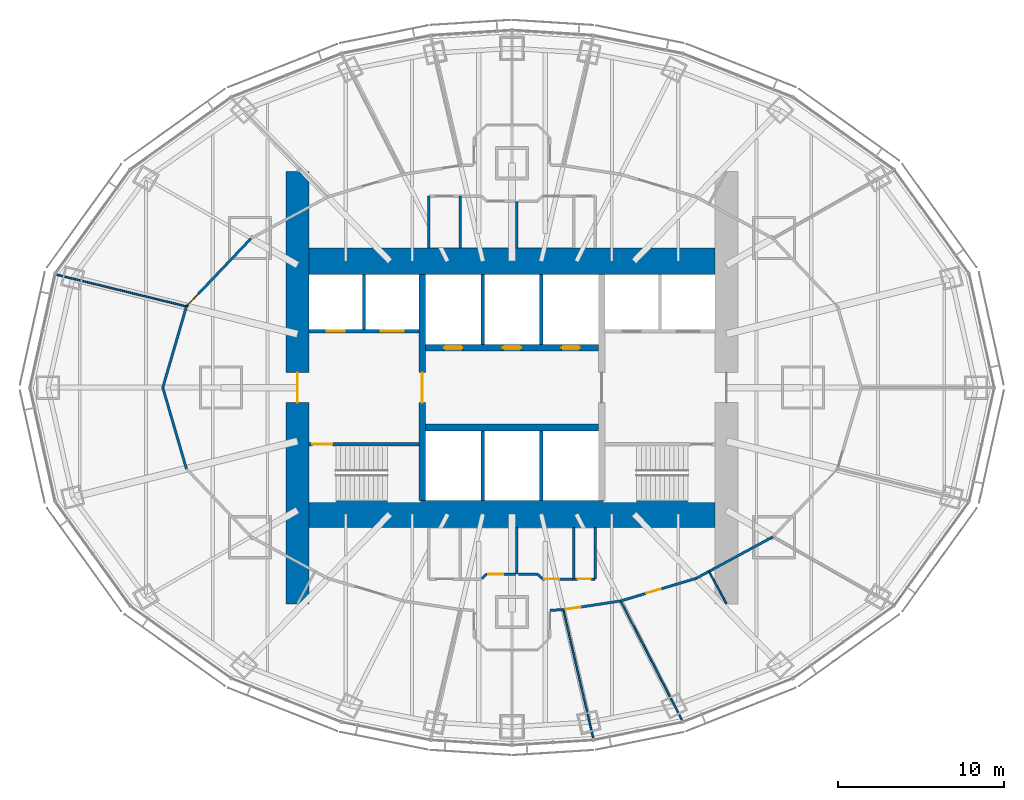
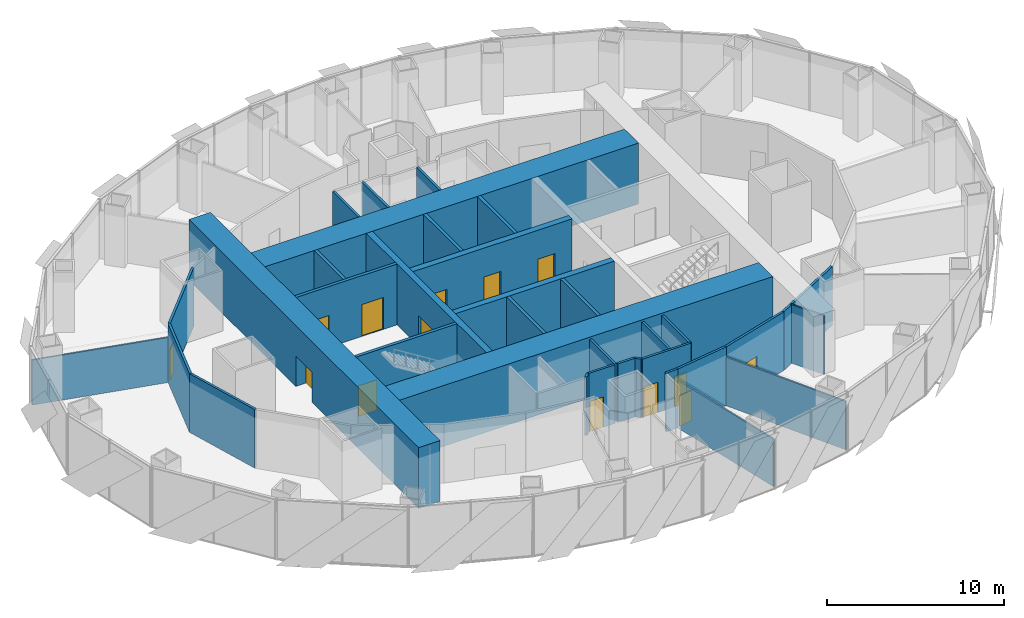
# One storey, part 11 of 18: 35 walls, 14 doors, 14 openings.
"""IFC4 building model written with IfcOpenShell, lengths in metres."""

import ifcopenshell
import ifcopenshell.guid

model = None  # the IFC model being written
_history = None  # IfcOwnerHistory: only IFC2X3 demands one
_inside = {}  # id of a spatial element -> (the spatial element, [elements in it])
_under = {}  # id of a project, library or spatial element -> (it, [spatial elements below it])
_declared = {}  # id of a project -> (the project, [libraries it declares])
_typed = {}  # id of a type object -> (the type object, [elements of that type])
_made_of = {}  # id of a material, layer set ... -> (it, [elements and type objects made of it])


def new_model(schema):
    """Start an empty IFC model of exactly this schema.

    Asked for "IFC4X3", IfcOpenShell would pick the latest addendum, in which some entities
    have other attributes; the version numbers below select the first issue.
    IFC2X3 requires an IfcOwnerHistory on every rooted entity: one is made here for all.
    """
    global model, _history
    if schema == "IFC4X3":
        model = ifcopenshell.file(schema_version=(4, 3, 0, 0))
    else:
        model = ifcopenshell.file(schema=schema)
    _inside.clear()
    _under.clear()
    _declared.clear()
    _typed.clear()
    _made_of.clear()
    _history = None
    if model.schema == "IFC2X3":
        org = make("IfcOrganization", Name="unknown")
        user = make(
            "IfcPersonAndOrganization",
            ThePerson=make("IfcPerson", FamilyName="unknown"),
            TheOrganization=org,
        )
        app = make(
            "IfcApplication",
            ApplicationDeveloper=org,
            Version="unknown",
            ApplicationFullName="unknown",
            ApplicationIdentifier="unknown",
        )
        _history = make(
            "IfcOwnerHistory",
            OwningUser=user,
            OwningApplication=app,
            ChangeAction="ADDED",
            CreationDate=0,
        )
    return model


def make(cls, **values):
    """One entity of the class cls with the attributes given. An attribute that is None is left unset."""
    return model.create_entity(
        cls, **{name: value for name, value in values.items() if value is not None}
    )


def rooted(cls, **values):
    """An entity with a GlobalId (a new one), such as an element, a storey or a relation."""
    return make(cls, GlobalId=ifcopenshell.guid.new(), OwnerHistory=_history, **values)


def si_unit(unit_type, name, prefix=None):
    """IfcSIUnit, for example si_unit("LENGTHUNIT", "METRE", prefix="MILLI")."""
    return make("IfcSIUnit", UnitType=unit_type, Prefix=prefix, Name=name)


def assignment(units):
    """IfcUnitAssignment: the units of a project."""
    return None if units is None else make("IfcUnitAssignment", Units=units)


def point(xyz):
    """IfcCartesianPoint."""
    return None if xyz is None else make("IfcCartesianPoint", Coordinates=xyz)


def direction(xyz):
    """IfcDirection."""
    return None if xyz is None else make("IfcDirection", DirectionRatios=xyz)


def frame(location, z_axis=None, x_axis=None):
    """IfcAxis2Placement3D, a coordinate frame: its origin and axes. An axis left out is left unset."""
    return make(
        "IfcAxis2Placement3D",
        Location=point(location),
        Axis=direction(z_axis),
        RefDirection=direction(x_axis),
    )


def frame_2d(location, x_axis=None):
    """IfcAxis2Placement2D, a coordinate frame in the plane: its origin and x axis."""
    return make(
        "IfcAxis2Placement2D", Location=point(location), RefDirection=direction(x_axis)
    )


def origin():
    """The frame at (0, 0, 0) with its axes left unset."""
    return frame((0.0, 0.0, 0.0))


def place(relative_to, where):
    """IfcLocalPlacement: puts the frame where relative to a parent placement (None: the world)."""
    return make(
        "IfcLocalPlacement", PlacementRelTo=relative_to, RelativePlacement=where
    )


def context(
    kind, dimensions, precision=None, world=None, true_north=None, identifier=None
):
    """IfcGeometricRepresentationContext, for example the 3D "Model" context."""
    return make(
        "IfcGeometricRepresentationContext",
        ContextIdentifier=identifier,
        ContextType=kind,
        CoordinateSpaceDimension=dimensions,
        Precision=precision,
        WorldCoordinateSystem=world,
        TrueNorth=true_north,
    )


def subcontext(parent, identifier, kind, view, scale=None):
    """IfcGeometricRepresentationSubContext, for example "Body" below "Model"."""
    return make(
        "IfcGeometricRepresentationSubContext",
        ContextIdentifier=identifier,
        ContextType=kind,
        ParentContext=parent,
        TargetScale=scale,
        TargetView=view,
    )


def project(units=None, contexts=None):
    """IfcProject with its units and contexts."""
    return rooted(
        "IfcProject",
        Name="project",
        RepresentationContexts=contexts,
        UnitsInContext=assignment(units),
    )


def spatial(cls, under=None, at=None, **own):
    """A site, building, storey or space (cls), placed at a placement, below another one or the project."""
    s = rooted(cls, ObjectPlacement=at, **own)
    if under is not None:
        _under.setdefault(under.id(), (under, []))[1].append(s)
    return s


def profile(cls, at=None, kind="AREA", **sizes):
    """A parametric profile (cls). Its sizes go by their IFC names, for example OverallWidth=200.0."""
    return make(cls, ProfileType=kind, Position=at, **sizes)


def rectangle(**sizes):
    """IfcRectangleProfileDef."""
    return profile("IfcRectangleProfileDef", **sizes)


def extrude(swept, where, along, depth):
    """IfcExtrudedAreaSolid: the profile swept, set in the frame where, extruded along a direction by depth."""
    return make(
        "IfcExtrudedAreaSolid",
        SweptArea=swept,
        Position=where,
        ExtrudedDirection=direction(along),
        Depth=depth,
    )


def shape(context_of_items, identifier, shape_type, items):
    """IfcShapeRepresentation: the items that make up one representation, for example the "Body"."""
    return make(
        "IfcShapeRepresentation",
        ContextOfItems=context_of_items,
        RepresentationIdentifier=identifier,
        RepresentationType=shape_type,
        Items=items,
    )


def material(Name=None, Category=None):
    """IfcMaterial."""
    return make("IfcMaterial", Name=Name, Category=Category)


def layer(
    of_material, thickness, ventilated=None, Name=None, Category=None, Priority=None
):
    """IfcMaterialLayer: one layer of a wall or slab, of a material (None: an air gap)."""
    return make(
        "IfcMaterialLayer",
        Material=of_material,
        LayerThickness=thickness,
        IsVentilated=ventilated,
        Name=Name,
        Category=Category,
        Priority=Priority,
    )


def layer_set(layers, Name=None):
    """IfcMaterialLayerSet."""
    return make("IfcMaterialLayerSet", MaterialLayers=layers, LayerSetName=Name)


def made_of(thing, what):
    """Note that an element or type object is made of a material, layer set ...; save() writes the relation."""
    if what is not None:
        _made_of.setdefault(what.id(), (what, []))[1].append(thing)
    return thing


def type_object(cls, material=None, **own):
    """A type object (cls), such as IfcWallType, which elements share."""
    return made_of(rooted(cls, **own), material)


def element(
    cls,
    number,
    at=None,
    inside=None,
    cuts=None,
    type_object=None,
    material=None,
    context=None,
    identifier="Body",
    shape_type=None,
    held_by="IfcProductDefinitionShape",
    body=None,
    shapes=None,
    **own,
):
    """One element of the class cls, such as IfcWall. Its Tag is "e" and its number.

    at: its placement. inside: the storey or other place that contains it. cuts: it is an
    opening in that element (IfcRelVoidsElement). A single representation is given by context,
    identifier, shape_type and body (its items); several are given by shapes. held_by: the class
    of the entity that holds the representations. save() writes the other relations.
    """
    e = rooted(cls, Tag="e%d" % number, ObjectPlacement=at, **own)
    if body is not None:
        shapes = [shape(context, identifier, shape_type, body)]
    if shapes is not None:
        e.Representation = make(held_by, Representations=shapes)
    if inside is not None:
        _inside.setdefault(inside.id(), (inside, []))[1].append(e)
    if cuts is not None:
        rooted(
            "IfcRelVoidsElement", RelatingBuildingElement=cuts, RelatedOpeningElement=e
        )
    if type_object is not None:
        _typed.setdefault(type_object.id(), (type_object, []))[1].append(e)
    return made_of(e, material)


def fill(opening, filler):
    """IfcRelFillsElement: the door or window that sits in an opening."""
    return rooted(
        "IfcRelFillsElement",
        RelatingOpeningElement=opening,
        RelatedBuildingElement=filler,
    )


def aggregate(whole, parts):
    """IfcRelAggregates: a whole, such as a stair, and the parts it consists of."""
    return rooted("IfcRelAggregates", RelatingObject=whole, RelatedObjects=parts)


def save(model, path):
    """Write the relations noted so far, then the file.

    IfcRelAggregates (storeys below a building ...), IfcRelContainedInSpatialStructure (elements
    in a storey), IfcRelDefinesByType, IfcRelAssociatesMaterial and IfcRelDeclares: one each for
    every whole, place, type object, material and project.
    """
    for whole, parts in _under.values():
        aggregate(whole, parts)
    for where, things in _inside.values():
        rooted(
            "IfcRelContainedInSpatialStructure",
            RelatedElements=things,
            RelatingStructure=where,
        )
    for kind, things in _typed.values():
        rooted("IfcRelDefinesByType", RelatedObjects=things, RelatingType=kind)
    for what, things in _made_of.values():
        rooted("IfcRelAssociatesMaterial", RelatedObjects=things, RelatingMaterial=what)
    for by, libraries in _declared.values():
        rooted("IfcRelDeclares", RelatingContext=by, RelatedDefinitions=libraries)
    model.write(path)


model = new_model("IFC4")

# Units and contexts
model_context = context("Model", 3, precision=1e-05, world=origin(), true_north=direction((0.0, 1.0)))
body_context = subcontext(model_context, "Body", "Model", "MODEL_VIEW")
ifc_project = project(units=[si_unit("LENGTHUNIT", "METRE"), si_unit("AREAUNIT", "SQUARE_METRE"), si_unit("VOLUMEUNIT", "CUBIC_METRE"), si_unit("PLANEANGLEUNIT", "RADIAN"), si_unit("MASSUNIT", "GRAM", prefix="KILO")], contexts=[model_context])

# Site, building, storey
site_placement = place(None, origin())
site = spatial("IfcSite", under=ifc_project, at=site_placement, CompositionType="ELEMENT")
building_placement = place(site_placement, origin())
building = spatial("IfcBuilding", under=site, at=building_placement, Name="Lantaw Convention Tower", CompositionType="ELEMENT")
storey_placement = place(building_placement, frame((0.0, 0.0, 138.39990234375)))
storey = spatial("IfcBuildingStorey", under=building, at=storey_placement, Name="L32", CompositionType="ELEMENT", Elevation=138.39990234375)

# Wall, opening, door
ifc_material_1 = material(Name="Concrete C60/75", Category="concrete")
ifc_layer_1 = layer(ifc_material_1, 1.39990234375)
ifc_layer_set_1 = layer_set([ifc_layer_1], Name="Core wall 1400")
wall_type_1 = type_object("IfcWallType", Name="Core wall 1400", PredefinedType="SHEAR", material=ifc_layer_set_1)
wall_1_placement = place(storey_placement, frame((-12.89990234375, 13.0, 0.0), z_axis=(0.0, 0.0, 1.0), x_axis=(0.0, -1.0, 0.0)))
wall_1 = element("IfcWall", 1, at=wall_1_placement, inside=storey, type_object=wall_type_1, Name="Core wall W", PredefinedType="SHEAR", context=body_context, shape_type="SweptSolid", body=[
    extrude(rectangle(XDim=26.0, YDim=1.39990234375, at=frame_2d((13.0, 0.0))), origin(), (0.0, 0.0, 1.0), 4.2001953125),
])
opening_1_placement = place(wall_1_placement, frame((12.10009765625, 0.0, 0.0)))
opening_1 = element("IfcOpeningElement", 2, at=opening_1_placement, cuts=wall_1, Name="Opening L32.06", PredefinedType="OPENING", context=body_context, shape_type="SweptSolid", body=[
    extrude(rectangle(XDim=1.800048828125, YDim=2.10009765625, at=frame_2d((0.89990234375, 1.050048828125))), frame((0.0, 0.7099609375, 0.0), z_axis=(0.0, -1.0, 0.0), x_axis=(1.0, 0.0, 0.0)), (0.0, 0.0, 1.0), 1.419921875),
])
ifc_material_2 = material(Name="Steel, fire rated", Category="steel")
door_type_1 = type_object("IfcDoorType", Name="Lobby double door FD90", OperationType="DOUBLE_DOOR_DOUBLE_SWING", PredefinedType="DOOR", material=ifc_material_2)
door_1_placement = place(opening_1_placement, origin())
door_1 = element("IfcDoor", 3, at=door_1_placement, inside=storey, type_object=door_type_1, Name="Firefighting lobby door", OperationType="DOUBLE_DOOR_DOUBLE_SWING", OverallHeight=2.10009765625, OverallWidth=1.800048828125, PredefinedType="DOOR", context=body_context, shape_type="SweptSolid", body=[
    extrude(rectangle(XDim=1.800048828125, YDim=2.10009765625, at=frame_2d((0.89990234375, 1.050048828125))), frame((0.0, 0.02490234375, 0.0), z_axis=(0.0, -1.0, 0.0), x_axis=(1.0, 0.0, 0.0)), (0.0, 0.0, 1.0), 0.050048828125),
])
fill(opening_1, door_1)

# Walls
ifc_layer_2 = layer(ifc_material_1, 1.60009765625)
ifc_layer_set_2 = layer_set([ifc_layer_2], Name="Core wall 1600")
wall_type_2 = type_object("IfcWallType", Name="Core wall 1600", PredefinedType="SHEAR", material=ifc_layer_set_2)
for number, where, z_axis, x_axis, name in (
    (4, (-12.199951171875, -7.60009765625, 0.0), (0.0, 0.0, 1.0), (1.0, 0.0, 0.0), "Core wall S"),
    (5, (12.199951171875, 7.60009765625, 0.0), (0.0, 0.0, 1.0), (-1.0, 0.0, 0.0), "Core wall N"),
):
    element("IfcWall", number, at=place(storey_placement, frame(where, z_axis=z_axis, x_axis=x_axis)), inside=storey, type_object=wall_type_2, Name=name, PredefinedType="SHEAR", context=body_context, shape_type="SweptSolid", body=[
        extrude(rectangle(XDim=24.39990234375, YDim=1.60009765625, at=frame_2d((12.199951171875, 0.0))), origin(), (0.0, 0.0, 1.0), 4.2001953125),
    ])

# Wall, opening, door
ifc_layer_3 = layer(ifc_material_1, 0.199951171875)
ifc_layer_set_3 = layer_set([ifc_layer_3], Name="Core wall 200")
wall_type_3 = type_object("IfcWallType", Name="Core wall 200", PredefinedType="SHEAR", material=ifc_layer_set_3)
wall_2_placement = place(storey_placement, frame((-5.60009765625, -3.39990234375, 0.0), z_axis=(0.0, 0.0, 1.0), x_axis=(-1.0, 0.0, 0.0)))
wall_2 = element("IfcWall", 6, at=wall_2_placement, inside=storey, type_object=wall_type_3, Name="Core wall WS", PredefinedType="SHEAR", context=body_context, shape_type="SweptSolid", body=[
    extrude(rectangle(XDim=6.599853515625, YDim=0.199951171875, at=frame_2d((3.2998046875, 0.0))), origin(), (0.0, 0.0, 1.0), 4.2001953125),
])
opening_2_placement = place(wall_2_placement, frame((5.199951171875, 0.0, 0.0)))
opening_2 = element("IfcOpeningElement", 7, at=opening_2_placement, cuts=wall_2, Name="Opening L32.04", PredefinedType="OPENING", context=body_context, shape_type="SweptSolid", body=[
    extrude(rectangle(XDim=1.199951171875, YDim=2.10009765625, at=frame_2d((0.60009765625, 1.050048828125))), frame((0.0, 0.10986328125, 0.0), z_axis=(0.0, -1.0, 0.0), x_axis=(1.0, 0.0, 0.0)), (0.0, 0.0, 1.0), 0.219970703125),
])
door_type_2 = type_object("IfcDoorType", Name="Stair door FD90", OperationType="SINGLE_SWING_RIGHT", PredefinedType="DOOR", material=ifc_material_2)
door_2_placement = place(opening_2_placement, origin())
door_2 = element("IfcDoor", 8, at=door_2_placement, inside=storey, type_object=door_type_2, Name="Exit stair door", OperationType="SINGLE_SWING_RIGHT", OverallHeight=2.10009765625, OverallWidth=1.199951171875, PredefinedType="DOOR", context=body_context, shape_type="SweptSolid", body=[
    extrude(rectangle(XDim=1.199951171875, YDim=2.10009765625, at=frame_2d((0.60009765625, 1.050048828125))), frame((0.0, 0.02490234375, 0.0), z_axis=(0.0, -1.0, 0.0), x_axis=(1.0, 0.0, 0.0)), (0.0, 0.0, 1.0), 0.050048828125),
])
fill(opening_2, door_2)

ifc_layer_4 = layer(ifc_material_1, 0.39990234375)
ifc_layer_set_4 = layer_set([ifc_layer_4], Name="Core wall 400")
wall_type_4 = type_object("IfcWallType", Name="Core wall 400", PredefinedType="SHEAR", material=ifc_layer_set_4)
wall_3_placement = place(storey_placement, frame((-5.39990234375, 6.800048828125, 0.0), z_axis=(0.0, 0.0, 1.0), x_axis=(0.0, -1.0, 0.0)))
wall_3 = element("IfcWall", 9, at=wall_3_placement, inside=storey, type_object=wall_type_4, Name="Core wall XW", PredefinedType="SHEAR", context=body_context, shape_type="SweptSolid", body=[
    extrude(rectangle(XDim=13.60009765625, YDim=0.39990234375, at=frame_2d((6.800048828125, 0.0))), origin(), (0.0, 0.0, 1.0), 4.2001953125),
])
opening_3_placement = place(wall_3_placement, frame((5.89990234375, 0.0, 0.0)))
opening_3 = element("IfcOpeningElement", 10, at=opening_3_placement, cuts=wall_3, Name="Opening L32.02", PredefinedType="OPENING", context=body_context, shape_type="SweptSolid", body=[
    extrude(rectangle(XDim=1.800048828125, YDim=2.10009765625, at=frame_2d((0.89990234375, 1.050048828125))), frame((0.0, 0.2099609375, 0.0), z_axis=(0.0, -1.0, 0.0), x_axis=(1.0, 0.0, 0.0)), (0.0, 0.0, 1.0), 0.419921875),
])
door_3_placement = place(opening_3_placement, origin())
door_3 = element("IfcDoor", 11, at=door_3_placement, inside=storey, type_object=door_type_1, Name="Lift lobby door", OperationType="DOUBLE_DOOR_DOUBLE_SWING", OverallHeight=2.10009765625, OverallWidth=1.800048828125, PredefinedType="DOOR", context=body_context, shape_type="SweptSolid", body=[
    extrude(rectangle(XDim=1.800048828125, YDim=2.10009765625, at=frame_2d((0.89990234375, 1.050048828125))), frame((0.0, 0.02490234375, 0.0), z_axis=(0.0, -1.0, 0.0), x_axis=(1.0, 0.0, 0.0)), (0.0, 0.0, 1.0), 0.050048828125),
])
fill(opening_3, door_3)

# Wall
wall_4_placement = place(storey_placement, frame((-5.199951171875, -2.39990234375, 0.0), z_axis=(0.0, 0.0, 1.0), x_axis=(1.0, 0.0, 0.0)))
element("IfcWall", 12, at=wall_4_placement, inside=storey, type_object=wall_type_4, Name="Core wall BS", PredefinedType="SHEAR", context=body_context, shape_type="SweptSolid", body=[
    extrude(rectangle(XDim=10.39990234375, YDim=0.39990234375, at=frame_2d((5.199951171875, 0.0))), origin(), (0.0, 0.0, 1.0), 4.2001953125),
])

# Wall, openings, doors
wall_5_placement = place(storey_placement, frame((5.199951171875, 2.39990234375, 0.0), z_axis=(0.0, 0.0, 1.0), x_axis=(-1.0, 0.0, 0.0)))
wall_5 = element("IfcWall", 13, at=wall_5_placement, inside=storey, type_object=wall_type_4, Name="Core wall BN", PredefinedType="SHEAR", context=body_context, shape_type="SweptSolid", body=[
    extrude(rectangle(XDim=10.39990234375, YDim=0.39990234375, at=frame_2d((5.199951171875, 0.0))), origin(), (0.0, 0.0, 1.0), 4.2001953125),
])
opening_4_placement = place(wall_5_placement, frame((8.183349609375, 0.0, 0.0)))
opening_4 = element("IfcOpeningElement", 14, at=opening_4_placement, cuts=wall_5, Name="Opening L32.07", PredefinedType="OPENING", context=body_context, shape_type="SweptSolid", body=[
    extrude(rectangle(XDim=1.10009765625, YDim=2.199951171875, at=frame_2d((0.550048828125, 1.10009765625))), frame((0.0, 0.2099609375, 0.0), z_axis=(0.0, -1.0, 0.0), x_axis=(1.0, 0.0, 0.0)), (0.0, 0.0, 1.0), 0.419921875),
])
opening_5_placement = place(wall_5_placement, frame((4.64990234375, 0.0, 0.0)))
opening_5 = element("IfcOpeningElement", 15, at=opening_5_placement, cuts=wall_5, Name="Opening L32.08", PredefinedType="OPENING", context=body_context, shape_type="SweptSolid", body=[
    extrude(rectangle(XDim=1.10009765625, YDim=2.199951171875, at=frame_2d((0.550048828125, 1.10009765625))), frame((0.0, 0.2099609375, 0.0), z_axis=(0.0, -1.0, 0.0), x_axis=(1.0, 0.0, 0.0)), (0.0, 0.0, 1.0), 0.419921875),
])
opening_6_placement = place(wall_5_placement, frame((1.11669921875, 0.0, 0.0)))
opening_6 = element("IfcOpeningElement", 16, at=opening_6_placement, cuts=wall_5, Name="Opening L32.09", PredefinedType="OPENING", context=body_context, shape_type="SweptSolid", body=[
    extrude(rectangle(XDim=1.10009765625, YDim=2.199951171875, at=frame_2d((0.550048828125, 1.10009765625))), frame((0.0, 0.2099609375, 0.0), z_axis=(0.0, -1.0, 0.0), x_axis=(1.0, 0.0, 0.0)), (0.0, 0.0, 1.0), 0.419921875),
])
ifc_material_3 = material(Name="Stainless steel", Category="steel")
door_type_3 = type_object("IfcDoorType", Name="Lift landing door 1100", OperationType="DOUBLE_DOOR_SLIDING", PredefinedType="DOOR", material=ifc_material_3)
door_4_placement = place(opening_4_placement, origin())
door_4 = element("IfcDoor", 17, at=door_4_placement, inside=storey, type_object=door_type_3, Name="Lift landing door N1", OperationType="DOUBLE_DOOR_SLIDING", OverallHeight=2.199951171875, OverallWidth=1.10009765625, PredefinedType="DOOR", context=body_context, shape_type="SweptSolid", body=[
    extrude(rectangle(XDim=1.10009765625, YDim=2.199951171875, at=frame_2d((0.550048828125, 1.10009765625))), frame((0.0, 0.02490234375, 0.0), z_axis=(0.0, -1.0, 0.0), x_axis=(1.0, 0.0, 0.0)), (0.0, 0.0, 1.0), 0.050048828125),
])
fill(opening_4, door_4)
door_5_placement = place(opening_5_placement, origin())
door_5 = element("IfcDoor", 18, at=door_5_placement, inside=storey, type_object=door_type_3, Name="Lift landing door N2", OperationType="DOUBLE_DOOR_SLIDING", OverallHeight=2.199951171875, OverallWidth=1.10009765625, PredefinedType="DOOR", context=body_context, shape_type="SweptSolid", body=[
    extrude(rectangle(XDim=1.10009765625, YDim=2.199951171875, at=frame_2d((0.550048828125, 1.10009765625))), frame((0.0, 0.02490234375, 0.0), z_axis=(0.0, -1.0, 0.0), x_axis=(1.0, 0.0, 0.0)), (0.0, 0.0, 1.0), 0.050048828125),
])
fill(opening_5, door_5)
door_6_placement = place(opening_6_placement, origin())
door_6 = element("IfcDoor", 19, at=door_6_placement, inside=storey, type_object=door_type_3, Name="Lift landing door N3", OperationType="DOUBLE_DOOR_SLIDING", OverallHeight=2.199951171875, OverallWidth=1.10009765625, PredefinedType="DOOR", context=body_context, shape_type="SweptSolid", body=[
    extrude(rectangle(XDim=1.10009765625, YDim=2.199951171875, at=frame_2d((0.550048828125, 1.10009765625))), frame((0.0, 0.02490234375, 0.0), z_axis=(0.0, -1.0, 0.0), x_axis=(1.0, 0.0, 0.0)), (0.0, 0.0, 1.0), 0.050048828125),
])
fill(opening_6, door_6)

# Wall, opening, door
ifc_material_4 = material(Name="Gypsum board on steel studs, fire rated", Category="steel")
ifc_layer_5 = layer(ifc_material_4, 0.14990234375)
ifc_layer_set_5 = layer_set([ifc_layer_5], Name="Corridor wall 150 EI 60")
wall_type_5 = type_object("IfcWallType", Name="Corridor wall 150 EI 60", PredefinedType="PARTITIONING", material=ifc_layer_set_5)
wall_6_placement = place(storey_placement, frame((-15.695556640625, 8.968994140625, 0.0), z_axis=(0.0, 0.0, 1.0), x_axis=(-0.688797257101, -0.72495402517, 0.0)))
wall_6 = element("IfcWall", 20, at=wall_6_placement, inside=storey, type_object=wall_type_5, Name="Corridor wall 150", PredefinedType="PARTITIONING", context=body_context, shape_type="SweptSolid", body=[
    extrude(rectangle(XDim=5.63818359375, YDim=0.14990234375, at=frame_2d((2.819091796875, 0.0))), origin(), (0.0, 0.0, 1.0), 4.050048828125),
])
opening_7_placement = place(wall_6_placement, frame((4.587890625, 0.0, 0.0)))
opening_7 = element("IfcOpeningElement", 21, at=opening_7_placement, cuts=wall_6, Name="Opening L32.28", PredefinedType="OPENING", context=body_context, shape_type="SweptSolid", body=[
    extrude(rectangle(XDim=0.89990234375, YDim=2.10009765625, at=frame_2d((0.449951171875, 1.050048828125))), frame((0.0, 0.0849609375, 0.0), z_axis=(0.0, -1.0, 0.0), x_axis=(1.0, 0.0, 0.0)), (0.0, 0.0, 1.0), 0.169921875),
])
door_type_4 = type_object("IfcDoorType", Name="Office door 900 FD30", OperationType="SINGLE_SWING_LEFT", PredefinedType="DOOR", material=ifc_material_2)
door_7_placement = place(opening_7_placement, origin())
door_7 = element("IfcDoor", 22, at=door_7_placement, inside=storey, type_object=door_type_4, Name="Director office door", OperationType="SINGLE_SWING_LEFT", OverallHeight=2.10009765625, OverallWidth=0.89990234375, PredefinedType="DOOR", context=body_context, shape_type="SweptSolid", body=[
    extrude(rectangle(XDim=0.89990234375, YDim=2.10009765625, at=frame_2d((0.449951171875, 1.050048828125))), frame((0.0, 0.02490234375, 0.0), z_axis=(0.0, -1.0, 0.0), x_axis=(1.0, 0.0, 0.0)), (0.0, 0.0, 1.0), 0.050048828125),
])
fill(opening_7, door_7)

# Walls
for number, where, z_axis, x_axis, name in (
    (23, (-19.5791015625, 4.881591796875, 0.0), (0.0, 0.0, 1.0), (-0.279474430869, -0.960153134917, 0.0), "Corridor wall 150"),
    (24, (-21.0, 0.0, 0.0), (0.0, 0.0, 1.0), (0.279474430869, -0.960153134917, 0.0), "Corridor wall 150"),
):
    element("IfcWall", number, at=place(storey_placement, frame(where, z_axis=z_axis, x_axis=x_axis)), inside=storey, type_object=wall_type_5, Name=name, PredefinedType="PARTITIONING", context=body_context, shape_type="SweptSolid", body=[
        extrude(rectangle(XDim=5.084228515625, YDim=0.14990234375, at=frame_2d((2.5419921875, 0.0))), origin(), (0.0, 0.0, 1.0), 4.050048828125),
    ])

# Wall, opening, door
wall_7_placement = place(storey_placement, frame((3.0830078125, -13.353759765625, 0.0), z_axis=(0.0, 0.0, 1.0), x_axis=(0.988668719464, 0.150113833987, 0.0)))
wall_7 = element("IfcWall", 25, at=wall_7_placement, inside=storey, type_object=wall_type_5, Name="Corridor wall 150", PredefinedType="PARTITIONING", context=body_context, shape_type="SweptSolid", body=[
    extrude(rectangle(XDim=3.493408203125, YDim=0.14990234375, at=frame_2d((1.74658203125, 0.0))), origin(), (0.0, 0.0, 1.0), 4.050048828125),
])
opening_8_placement = place(wall_7_placement, frame((0.14990234375, 0.0, 0.0)))
opening_8 = element("IfcOpeningElement", 26, at=opening_8_placement, cuts=wall_7, Name="Opening L32.32", PredefinedType="OPENING", context=body_context, shape_type="SweptSolid", body=[
    extrude(rectangle(XDim=0.89990234375, YDim=2.10009765625, at=frame_2d((0.449951171875, 1.050048828125))), frame((0.0, 0.0849609375, 0.0), z_axis=(0.0, -1.0, 0.0), x_axis=(1.0, 0.0, 0.0)), (0.0, 0.0, 1.0), 0.169921875),
])
door_8_placement = place(opening_8_placement, origin())
door_8 = element("IfcDoor", 27, at=door_8_placement, inside=storey, type_object=door_type_4, Name="Pantry door", OperationType="SINGLE_SWING_LEFT", OverallHeight=2.10009765625, OverallWidth=0.89990234375, PredefinedType="DOOR", context=body_context, shape_type="SweptSolid", body=[
    extrude(rectangle(XDim=0.89990234375, YDim=2.10009765625, at=frame_2d((0.449951171875, 1.050048828125))), frame((0.0, 0.02490234375, 0.0), z_axis=(0.0, -1.0, 0.0), x_axis=(1.0, 0.0, 0.0)), (0.0, 0.0, 1.0), 0.050048828125),
])
fill(opening_8, door_8)

wall_8_placement = place(storey_placement, frame((6.536865234375, -12.829345703125, 0.0), z_axis=(0.0, 0.0, 1.0), x_axis=(0.957933992798, 0.286988615527, 0.0)))
wall_8 = element("IfcWall", 28, at=wall_8_placement, inside=storey, type_object=wall_type_5, Name="Corridor wall 150", PredefinedType="PARTITIONING", context=body_context, shape_type="SweptSolid", body=[
    extrude(rectangle(XDim=4.73828125, YDim=0.14990234375, at=frame_2d((2.369140625, 0.0))), origin(), (0.0, 0.0, 1.0), 4.050048828125),
])
opening_9_placement = place(wall_8_placement, frame((1.60693359375, 0.0, 0.0)))
opening_9 = element("IfcOpeningElement", 29, at=opening_9_placement, cuts=wall_8, Name="Opening L32.33", PredefinedType="OPENING", context=body_context, shape_type="SweptSolid", body=[
    extrude(rectangle(XDim=0.89990234375, YDim=2.10009765625, at=frame_2d((0.449951171875, 1.050048828125))), frame((0.0, 0.0849609375, 0.0), z_axis=(0.0, -1.0, 0.0), x_axis=(1.0, 0.0, 0.0)), (0.0, 0.0, 1.0), 0.169921875),
])
door_9_placement = place(opening_9_placement, origin())
door_9 = element("IfcDoor", 30, at=door_9_placement, inside=storey, type_object=door_type_4, Name="Director office door", OperationType="SINGLE_SWING_LEFT", OverallHeight=2.10009765625, OverallWidth=0.89990234375, PredefinedType="DOOR", context=body_context, shape_type="SweptSolid", body=[
    extrude(rectangle(XDim=0.89990234375, YDim=2.10009765625, at=frame_2d((0.449951171875, 1.050048828125))), frame((0.0, 0.02490234375, 0.0), z_axis=(0.0, -1.0, 0.0), x_axis=(1.0, 0.0, 0.0)), (0.0, 0.0, 1.0), 0.050048828125),
])
fill(opening_9, door_9)

# Walls
wall_9_placement = place(storey_placement, frame((11.075927734375, -11.469482421875, 0.0), z_axis=(0.0, 0.0, 1.0), x_axis=(0.879436285334, 0.476016617397, 0.0)))
element("IfcWall", 31, at=wall_9_placement, inside=storey, type_object=wall_type_5, Name="Corridor wall 150", PredefinedType="PARTITIONING", context=body_context, shape_type="SweptSolid", body=[
    extrude(rectangle(XDim=5.2529296875, YDim=0.14990234375, at=frame_2d((2.62646484375, 0.0))), origin(), (0.0, 0.0, 1.0), 4.050048828125),
])
wall_10_placement = place(storey_placement, frame((2.294921875, -13.39111328125, 0.0), z_axis=(0.0, 0.0, 1.0), x_axis=(0.998878614804, 0.04734461836, 0.0)))
element("IfcWall", 32, at=wall_10_placement, inside=storey, type_object=wall_type_5, Name="Corridor wall 150", PredefinedType="PARTITIONING", context=body_context, shape_type="SweptSolid", body=[
    extrude(rectangle(XDim=0.7890625, YDim=0.14990234375, at=frame_2d((0.39453125, 0.0))), origin(), (0.0, 0.0, 1.0), 4.050048828125),
])
ifc_material_5 = material(Name="Gypsum board on steel studs, acoustic", Category="steel")
ifc_layer_6 = layer(ifc_material_5, 0.10009765625)
ifc_layer_set_6 = layer_set([ifc_layer_6], Name="Office partition 100")
wall_type_6 = type_object("IfcWallType", Name="Office partition 100", PredefinedType="PARTITIONING", material=ifc_layer_set_6)
wall_11_placement = place(storey_placement, frame((-27.440673828125, 6.808837890625, 0.0), z_axis=(0.0, 0.0, 1.0), x_axis=(0.971241251223, -0.238097526075, 0.0)))
element("IfcWall", 33, at=wall_11_placement, inside=storey, type_object=wall_type_6, Name="Office partition 100", PredefinedType="PARTITIONING", context=body_context, shape_type="SweptSolid", body=[
    extrude(rectangle(XDim=8.09423828125, YDim=0.10009765625, at=frame_2d((4.047119140625, 0.0))), origin(), (0.0, 0.0, 1.0), 3.11279296875),
])
wall_12_placement = place(storey_placement, frame((4.89697265625, -21.134765625, 0.0), z_axis=(0.0, 0.0, 1.0), x_axis=(-0.227039313577, 0.973885593943, 0.0)))
element("IfcWall", 34, at=wall_12_placement, inside=storey, type_object=wall_type_6, Name="Office partition 100", PredefinedType="PARTITIONING", context=body_context, shape_type="SweptSolid", body=[
    extrude(rectangle(XDim=7.98974609375, YDim=0.10009765625, at=frame_2d((3.994873046875, 0.0))), origin(), (0.0, 0.0, 1.0), 3.293212890625),
])
wall_13_placement = place(storey_placement, frame((10.253173828125, -20.0517578125, 0.0), z_axis=(0.0, 0.0, 1.0), x_axis=(-0.457535449567, 0.889191381194, 0.0)))
element("IfcWall", 35, at=wall_13_placement, inside=storey, type_object=wall_type_6, Name="Office partition 100", PredefinedType="PARTITIONING", context=body_context, shape_type="SweptSolid", body=[
    extrude(rectangle(XDim=8.12255859375, YDim=0.10009765625, at=frame_2d((4.061279296875, 0.0))), origin(), (0.0, 0.0, 1.0), 3.34912109375),
])
wall_14_placement = place(storey_placement, frame((12.89990234375, -13.0, 0.0), z_axis=(0.0, 0.0, 1.0), x_axis=(-0.475998959765, 0.879445842734, 0.0)))
element("IfcWall", 36, at=wall_14_placement, inside=storey, type_object=wall_type_6, Name="Office partition 100", PredefinedType="PARTITIONING", context=body_context, shape_type="SweptSolid", body=[
    extrude(rectangle(XDim=2.214111328125, YDim=0.10009765625, at=frame_2d((1.10693359375, 0.0))), origin(), (0.0, 0.0, 1.0), 4.050048828125),
])
ifc_material_6 = material(Name="Concrete blockwork, fire rated", Category="masonry")
ifc_layer_7 = layer(ifc_material_6, 0.199951171875)
ifc_layer_set_7 = layer_set([ifc_layer_7], Name="Shaft wall 200")
wall_type_7 = type_object("IfcWallType", Name="Shaft wall 200", PredefinedType="SOLIDWALL", material=ifc_layer_set_7)
for number, where, z_axis, x_axis, name in (
    (37, (-1.7666015625, 2.60009765625, 0.0), (0.0, 0.0, 1.0), (0.0, 1.0, 0.0), "Shaft wall DN1"),
    (38, (1.7666015625, 2.60009765625, 0.0), (0.0, 0.0, 1.0), (0.0, 1.0, 0.0), "Shaft wall DN2"),
):
    element("IfcWall", number, at=place(storey_placement, frame(where, z_axis=z_axis, x_axis=x_axis)), inside=storey, type_object=wall_type_7, Name=name, PredefinedType="SOLIDWALL", context=body_context, shape_type="SweptSolid", body=[
        extrude(rectangle(XDim=4.199951171875, YDim=0.199951171875, at=frame_2d((2.10009765625, 0.0))), origin(), (0.0, 0.0, 1.0), 4.2001953125),
    ])

# Wall, openings, doors
wall_15_placement = place(storey_placement, frame((-12.199951171875, 3.39990234375, 0.0), z_axis=(0.0, 0.0, 1.0), x_axis=(1.0, 0.0, 0.0)))
wall_15 = element("IfcWall", 39, at=wall_15_placement, inside=storey, type_object=wall_type_7, Name="Shaft wall WN", PredefinedType="SOLIDWALL", context=body_context, shape_type="SweptSolid", body=[
    extrude(rectangle(XDim=6.599853515625, YDim=0.199951171875, at=frame_2d((3.2998046875, 0.0))), origin(), (0.0, 0.0, 1.0), 4.2001953125),
])
opening_10_placement = place(wall_15_placement, frame((1.050048828125, 0.0, 0.0)))
opening_10 = element("IfcOpeningElement", 40, at=opening_10_placement, cuts=wall_15, Name="Opening L32.10", PredefinedType="OPENING", context=body_context, shape_type="SweptSolid", body=[
    extrude(rectangle(XDim=1.10009765625, YDim=2.199951171875, at=frame_2d((0.550048828125, 1.10009765625))), frame((0.0, 0.10986328125, 0.0), z_axis=(0.0, -1.0, 0.0), x_axis=(1.0, 0.0, 0.0)), (0.0, 0.0, 1.0), 0.219970703125),
])
opening_11_placement = place(wall_15_placement, frame((4.300048828125, 0.0, 0.0)))
opening_11 = element("IfcOpeningElement", 41, at=opening_11_placement, cuts=wall_15, Name="Opening L32.11", PredefinedType="OPENING", context=body_context, shape_type="SweptSolid", body=[
    extrude(rectangle(XDim=1.39990234375, YDim=2.199951171875, at=frame_2d((0.699951171875, 1.10009765625))), frame((0.0, 0.10986328125, 0.0), z_axis=(0.0, -1.0, 0.0), x_axis=(1.0, 0.0, 0.0)), (0.0, 0.0, 1.0), 0.219970703125),
])
door_10_placement = place(opening_10_placement, origin())
door_10 = element("IfcDoor", 42, at=door_10_placement, inside=storey, type_object=door_type_3, Name="Lift landing door FF1", OperationType="DOUBLE_DOOR_SLIDING", OverallHeight=2.199951171875, OverallWidth=1.10009765625, PredefinedType="DOOR", context=body_context, shape_type="SweptSolid", body=[
    extrude(rectangle(XDim=1.10009765625, YDim=2.199951171875, at=frame_2d((0.550048828125, 1.10009765625))), frame((0.0, 0.02490234375, 0.0), z_axis=(0.0, -1.0, 0.0), x_axis=(1.0, 0.0, 0.0)), (0.0, 0.0, 1.0), 0.050048828125),
])
fill(opening_10, door_10)
door_type_5 = type_object("IfcDoorType", Name="Lift landing door 1400", OperationType="DOUBLE_DOOR_SLIDING", PredefinedType="DOOR", material=ifc_material_3)
door_11_placement = place(opening_11_placement, origin())
door_11 = element("IfcDoor", 43, at=door_11_placement, inside=storey, type_object=door_type_5, Name="Lift landing door SV1", OperationType="DOUBLE_DOOR_SLIDING", OverallHeight=2.199951171875, OverallWidth=1.39990234375, PredefinedType="DOOR", context=body_context, shape_type="SweptSolid", body=[
    extrude(rectangle(XDim=1.39990234375, YDim=2.199951171875, at=frame_2d((0.699951171875, 1.10009765625))), frame((0.0, 0.02490234375, 0.0), z_axis=(0.0, -1.0, 0.0), x_axis=(1.0, 0.0, 0.0)), (0.0, 0.0, 1.0), 0.050048828125),
])
fill(opening_11, door_11)

# Walls
wall_16_placement = place(storey_placement, frame((-8.89990234375, 3.5, 0.0), z_axis=(0.0, 0.0, 1.0), x_axis=(0.0, 1.0, 0.0)))
element("IfcWall", 44, at=wall_16_placement, inside=storey, type_object=wall_type_7, Name="Shaft wall WD", PredefinedType="SOLIDWALL", context=body_context, shape_type="SweptSolid", body=[
    extrude(rectangle(XDim=3.300048828125, YDim=0.199951171875, at=frame_2d((1.64990234375, 0.0))), origin(), (0.0, 0.0, 1.0), 4.2001953125),
])
ifc_layer_8 = layer(ifc_material_6, 0.199951171875)
ifc_layer_set_8 = layer_set([ifc_layer_8], Name="Shaft wall 200 load-bearing")
wall_type_8 = type_object("IfcWallType", Name="Shaft wall 200 load-bearing", PredefinedType="SOLIDWALL", material=ifc_layer_set_8)
for number, where, z_axis, x_axis, name in (
    (45, (-1.7666015625, -2.60009765625, 0.0), (0.0, 0.0, 1.0), (0.0, -1.0, 0.0), "Shaft wall DS1"),
    (46, (1.7666015625, -2.60009765625, 0.0), (0.0, 0.0, 1.0), (0.0, -1.0, 0.0), "Shaft wall DS2"),
):
    element("IfcWall", number, at=place(storey_placement, frame(where, z_axis=z_axis, x_axis=x_axis)), inside=storey, type_object=wall_type_8, Name=name, PredefinedType="SOLIDWALL", context=body_context, shape_type="SweptSolid", body=[
        extrude(rectangle(XDim=4.199951171875, YDim=0.199951171875, at=frame_2d((2.10009765625, 0.0))), origin(), (0.0, 0.0, 1.0), 4.2001953125),
    ])
ifc_material_7 = material(Name="Concrete blockwork", Category="masonry")
ifc_layer_9 = layer(ifc_material_7, 0.14990234375)
ifc_layer_set_9 = layer_set([ifc_layer_9], Name="WC wall 150")
wall_type_9 = type_object("IfcWallType", Name="WC wall 150", PredefinedType="SOLIDWALL", material=ifc_layer_set_9)
for number, where, z_axis, x_axis, name in (
    (47, (-5.0, 8.39990234375, 0.0), (0.0, 0.0, 1.0), (0.0, 1.0, 0.0), "WC wall 150"),
    (48, (-3.10009765625, 8.39990234375, 0.0), (0.0, 0.0, 1.0), (0.0, 1.0, 0.0), "WC wall 150"),
    (49, (5.0, -8.39990234375, 0.0), (0.0, 0.0, 1.0), (0.0, -1.0, 0.0), "WC wall 150"),
    (50, (3.699951171875, -8.39990234375, 0.0), (0.0, 0.0, 1.0), (0.0, -1.0, 0.0), "WC wall 150"),
):
    element("IfcWall", number, at=place(storey_placement, frame(where, z_axis=z_axis, x_axis=x_axis)), inside=storey, type_object=wall_type_9, Name=name, PredefinedType="SOLIDWALL", context=body_context, shape_type="SweptSolid", body=[
        extrude(rectangle(XDim=3.112060546875, YDim=0.14990234375, at=frame_2d((1.55615234375, 0.0))), origin(), (0.0, 0.0, 1.0), 4.050048828125),
    ])

# Wall, openings, doors
wall_17_placement = place(storey_placement, frame((1.843505859375, -11.511962890625, 0.0), z_axis=(0.0, 0.0, 1.0), x_axis=(1.0, 0.0, 0.0)))
wall_17 = element("IfcWall", 51, at=wall_17_placement, inside=storey, type_object=wall_type_9, Name="WC wall 150", PredefinedType="SOLIDWALL", context=body_context, shape_type="SweptSolid", body=[
    extrude(rectangle(XDim=3.156494140625, YDim=0.14990234375, at=frame_2d((1.578125, 0.0))), origin(), (0.0, 0.0, 1.0), 4.050048828125),
])
opening_12_placement = place(wall_17_placement, frame((0.10009765625, 0.0, 0.0)))
opening_12 = element("IfcOpeningElement", 52, at=opening_12_placement, cuts=wall_17, Name="Opening L32.20", PredefinedType="OPENING", context=body_context, shape_type="SweptSolid", body=[
    extrude(rectangle(XDim=0.89990234375, YDim=2.10009765625, at=frame_2d((0.449951171875, 1.050048828125))), frame((0.0, 0.0849609375, 0.0), z_axis=(0.0, -1.0, 0.0), x_axis=(1.0, 0.0, 0.0)), (0.0, 0.0, 1.0), 0.169921875),
])
opening_13_placement = place(wall_17_placement, frame((2.10009765625, 0.0, 0.0)))
opening_13 = element("IfcOpeningElement", 53, at=opening_13_placement, cuts=wall_17, Name="Opening L32.21", PredefinedType="OPENING", context=body_context, shape_type="SweptSolid", body=[
    extrude(rectangle(XDim=0.800048828125, YDim=2.10009765625, at=frame_2d((0.39990234375, 1.050048828125))), frame((0.0, 0.0849609375, 0.0), z_axis=(0.0, -1.0, 0.0), x_axis=(1.0, 0.0, 0.0)), (0.0, 0.0, 1.0), 0.169921875),
])
ifc_material_8 = material(Name="Timber", Category="wood")
door_type_6 = type_object("IfcDoorType", Name="WC door 800", OperationType="SINGLE_SWING_LEFT", PredefinedType="DOOR", material=ifc_material_8)
door_12_placement = place(opening_13_placement, origin())
door_12 = element("IfcDoor", 54, at=door_12_placement, inside=storey, type_object=door_type_6, Name="Pantry door", OperationType="SINGLE_SWING_LEFT", OverallHeight=2.10009765625, OverallWidth=0.800048828125, PredefinedType="DOOR", context=body_context, shape_type="SweptSolid", body=[
    extrude(rectangle(XDim=0.800048828125, YDim=2.10009765625, at=frame_2d((0.39990234375, 1.050048828125))), frame((0.0, 0.02490234375, 0.0), z_axis=(0.0, -1.0, 0.0), x_axis=(1.0, 0.0, 0.0)), (0.0, 0.0, 1.0), 0.050048828125),
])
fill(opening_13, door_12)
door_type_7 = type_object("IfcDoorType", Name="WC door 900", OperationType="SINGLE_SWING_LEFT", PredefinedType="DOOR", material=ifc_material_8)
door_13_placement = place(opening_12_placement, origin())
door_13 = element("IfcDoor", 55, at=door_13_placement, inside=storey, type_object=door_type_7, Name="Female WC door", OperationType="SINGLE_SWING_LEFT", OverallHeight=2.10009765625, OverallWidth=0.89990234375, PredefinedType="DOOR", context=body_context, shape_type="SweptSolid", body=[
    extrude(rectangle(XDim=0.89990234375, YDim=2.10009765625, at=frame_2d((0.449951171875, 1.050048828125))), frame((0.0, 0.02490234375, 0.0), z_axis=(0.0, -1.0, 0.0), x_axis=(1.0, 0.0, 0.0)), (0.0, 0.0, 1.0), 0.050048828125),
])
fill(opening_12, door_13)

# Walls
wall_18_placement = place(storey_placement, frame((0.300048828125, -8.39990234375, 0.0), z_axis=(0.0, 0.0, 1.0), x_axis=(0.0, -1.0, 0.0)))
element("IfcWall", 56, at=wall_18_placement, inside=storey, type_object=wall_type_9, Name="WC wall 150", PredefinedType="SOLIDWALL", context=body_context, shape_type="SweptSolid", body=[
    extrude(rectangle(XDim=2.80517578125, YDim=0.14990234375, at=frame_2d((1.402587890625, 0.0))), origin(), (0.0, 0.0, 1.0), 4.050048828125),
])
wall_19_placement = place(storey_placement, frame((-1.8134765625, -11.49609375, 0.0), z_axis=(0.0, 0.0, 1.0), x_axis=(0.707413751745, 0.706799677308, 0.0)))
element("IfcWall", 57, at=wall_19_placement, inside=storey, type_object=wall_type_9, Name="WC wall 150", PredefinedType="SOLIDWALL", context=body_context, shape_type="SweptSolid", body=[
    extrude(rectangle(XDim=0.3974609375, YDim=0.14990234375, at=frame_2d((0.19873046875, 0.0))), origin(), (0.0, 0.0, 1.0), 4.050048828125),
])

# Wall, opening, door
wall_20_placement = place(storey_placement, frame((-1.5322265625, -11.215087890625, 0.0), z_axis=(0.0, 0.0, 1.0), x_axis=(1.0, 0.0, 0.0)))
wall_20 = element("IfcWall", 58, at=wall_20_placement, inside=storey, type_object=wall_type_9, Name="WC wall 150", PredefinedType="SOLIDWALL", context=body_context, shape_type="SweptSolid", body=[
    extrude(rectangle(XDim=1.72900390625, YDim=0.14990234375, at=frame_2d((0.864501953125, 0.0))), origin(), (0.0, 0.0, 1.0), 4.050048828125),
])
opening_14_placement = place(wall_20_placement, frame((0.10009765625, 0.0, 0.0)))
opening_14 = element("IfcOpeningElement", 59, at=opening_14_placement, cuts=wall_20, Name="Opening L32.19", PredefinedType="OPENING", context=body_context, shape_type="SweptSolid", body=[
    extrude(rectangle(XDim=0.89990234375, YDim=2.10009765625, at=frame_2d((0.449951171875, 1.050048828125))), frame((0.0, 0.0849609375, 0.0), z_axis=(0.0, -1.0, 0.0), x_axis=(1.0, 0.0, 0.0)), (0.0, 0.0, 1.0), 0.169921875),
])
door_14_placement = place(opening_14_placement, origin())
door_14 = element("IfcDoor", 60, at=door_14_placement, inside=storey, type_object=door_type_7, Name="Male WC door", OperationType="SINGLE_SWING_LEFT", OverallHeight=2.10009765625, OverallWidth=0.89990234375, PredefinedType="DOOR", context=body_context, shape_type="SweptSolid", body=[
    extrude(rectangle(XDim=0.89990234375, YDim=2.10009765625, at=frame_2d((0.449951171875, 1.050048828125))), frame((0.0, 0.02490234375, 0.0), z_axis=(0.0, -1.0, 0.0), x_axis=(1.0, 0.0, 0.0)), (0.0, 0.0, 1.0), 0.050048828125),
])
fill(opening_14, door_14)

# Walls
wall_21_placement = place(storey_placement, frame((0.4033203125, -11.215087890625, 0.0), z_axis=(0.0, 0.0, 1.0), x_axis=(1.0, 0.0, 0.0)))
element("IfcWall", 61, at=wall_21_placement, inside=storey, type_object=wall_type_9, Name="WC wall 150", PredefinedType="SOLIDWALL", context=body_context, shape_type="SweptSolid", body=[
    extrude(rectangle(XDim=1.12890625, YDim=0.14990234375, at=frame_2d((0.564453125, 0.0))), origin(), (0.0, 0.0, 1.0), 4.050048828125),
])
wall_22_placement = place(storey_placement, frame((1.5322265625, -11.215087890625, 0.0), z_axis=(0.0, 0.0, 1.0), x_axis=(0.707413751745, -0.706799677308, 0.0)))
element("IfcWall", 62, at=wall_22_placement, inside=storey, type_object=wall_type_9, Name="WC wall 150", PredefinedType="SOLIDWALL", context=body_context, shape_type="SweptSolid", body=[
    extrude(rectangle(XDim=0.3974609375, YDim=0.14990234375, at=frame_2d((0.19873046875, 0.0))), origin(), (0.0, 0.0, 1.0), 4.050048828125),
])
wall_23_placement = place(storey_placement, frame((0.300048828125, 8.39990234375, 0.0), z_axis=(0.0, 0.0, 1.0), x_axis=(0.0, 1.0, 0.0)))
element("IfcWall", 63, at=wall_23_placement, inside=storey, type_object=wall_type_9, Name="WC wall 150", PredefinedType="SOLIDWALL", context=body_context, shape_type="SweptSolid", body=[
    extrude(rectangle(XDim=2.80517578125, YDim=0.14990234375, at=frame_2d((1.402587890625, 0.0))), origin(), (0.0, 0.0, 1.0), 4.050048828125),
])

save(model, "model.ifc")
